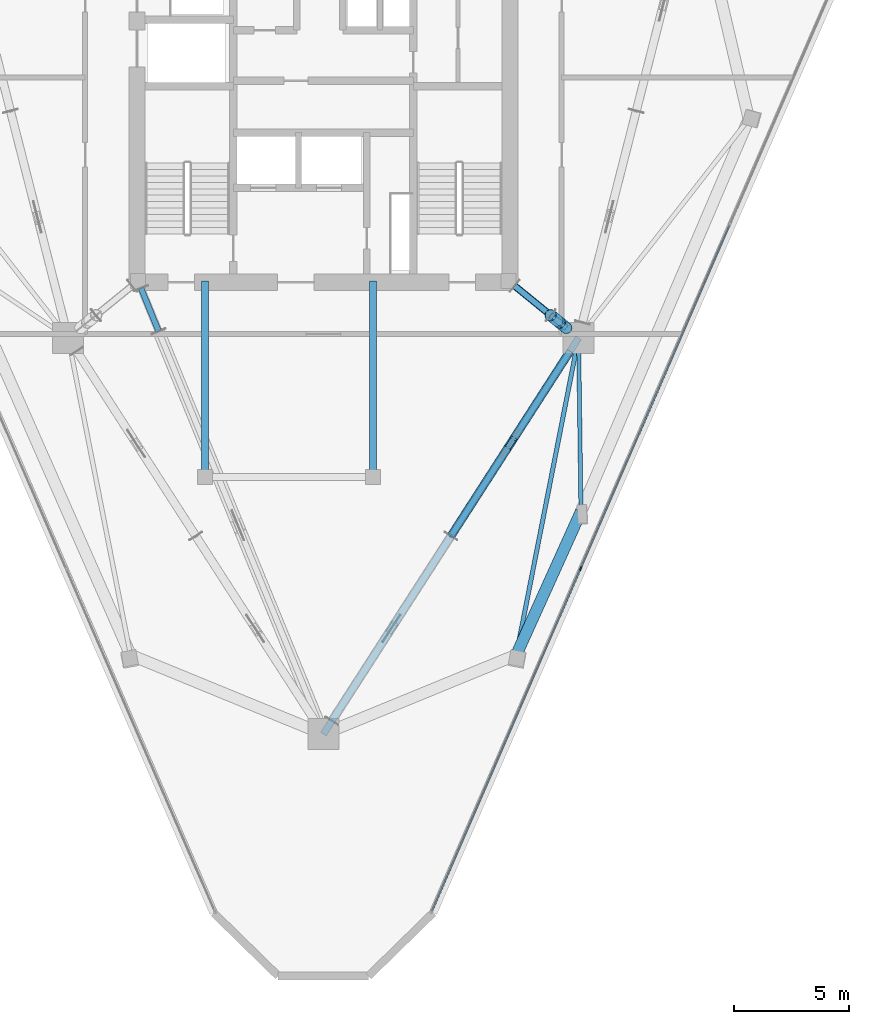
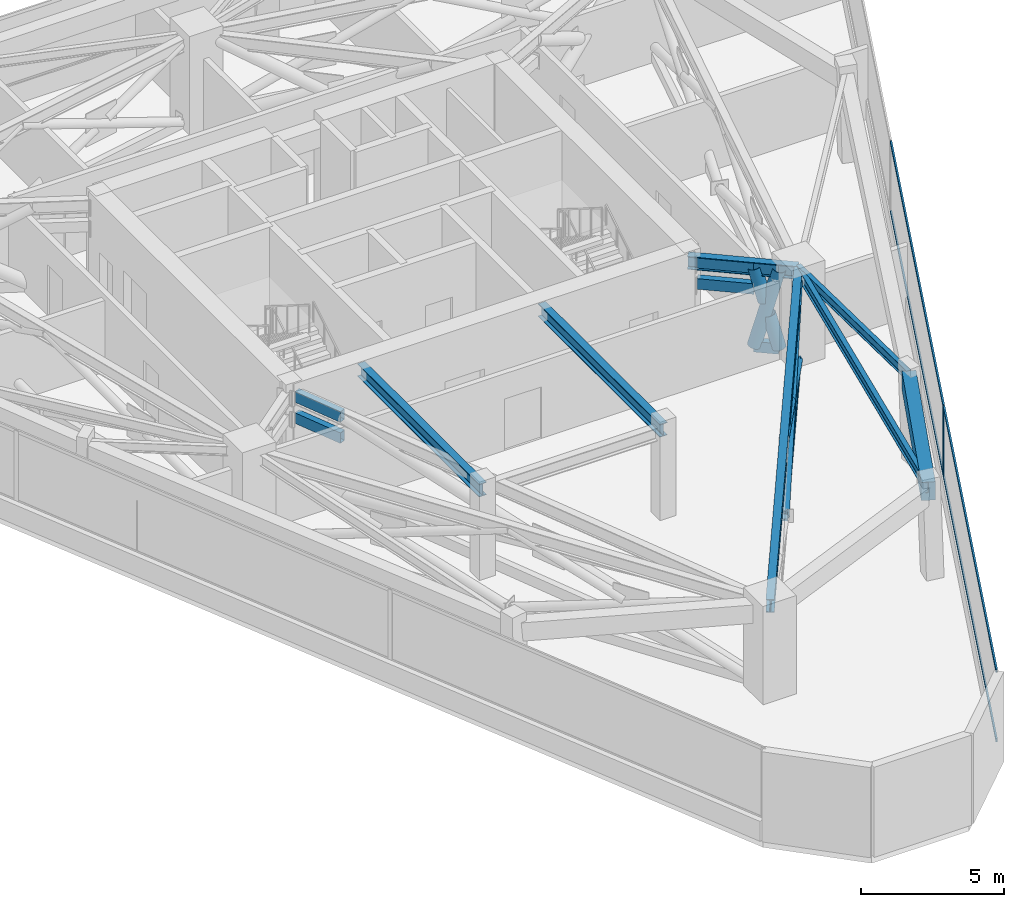
# One storey, part 3 of 12: 19 members, 7 beams, 1 element without a shape of its own.
"""IFC4 building model written with IfcOpenShell, lengths in metres."""

import ifcopenshell
import ifcopenshell.guid

model = None  # the IFC model being written
_history = None  # IfcOwnerHistory: only IFC2X3 demands one
_inside = {}  # id of a spatial element -> (the spatial element, [elements in it])
_under = {}  # id of a project, library or spatial element -> (it, [spatial elements below it])
_declared = {}  # id of a project -> (the project, [libraries it declares])
_typed = {}  # id of a type object -> (the type object, [elements of that type])
_made_of = {}  # id of a material, layer set ... -> (it, [elements and type objects made of it])


def new_model(schema):
    """Start an empty IFC model of exactly this schema.

    Asked for "IFC4X3", IfcOpenShell would pick the latest addendum, in which some entities
    have other attributes; the version numbers below select the first issue.
    IFC2X3 requires an IfcOwnerHistory on every rooted entity: one is made here for all.
    """
    global model, _history
    if schema == "IFC4X3":
        model = ifcopenshell.file(schema_version=(4, 3, 0, 0))
    else:
        model = ifcopenshell.file(schema=schema)
    _inside.clear()
    _under.clear()
    _declared.clear()
    _typed.clear()
    _made_of.clear()
    _history = None
    if model.schema == "IFC2X3":
        org = make("IfcOrganization", Name="unknown")
        user = make(
            "IfcPersonAndOrganization",
            ThePerson=make("IfcPerson", FamilyName="unknown"),
            TheOrganization=org,
        )
        app = make(
            "IfcApplication",
            ApplicationDeveloper=org,
            Version="unknown",
            ApplicationFullName="unknown",
            ApplicationIdentifier="unknown",
        )
        _history = make(
            "IfcOwnerHistory",
            OwningUser=user,
            OwningApplication=app,
            ChangeAction="ADDED",
            CreationDate=0,
        )
    return model


def make(cls, **values):
    """One entity of the class cls with the attributes given. An attribute that is None is left unset."""
    return model.create_entity(
        cls, **{name: value for name, value in values.items() if value is not None}
    )


def rooted(cls, **values):
    """An entity with a GlobalId (a new one), such as an element, a storey or a relation."""
    return make(cls, GlobalId=ifcopenshell.guid.new(), OwnerHistory=_history, **values)


def si_unit(unit_type, name, prefix=None):
    """IfcSIUnit, for example si_unit("LENGTHUNIT", "METRE", prefix="MILLI")."""
    return make("IfcSIUnit", UnitType=unit_type, Prefix=prefix, Name=name)


def assignment(units):
    """IfcUnitAssignment: the units of a project."""
    return None if units is None else make("IfcUnitAssignment", Units=units)


def point(xyz):
    """IfcCartesianPoint."""
    return None if xyz is None else make("IfcCartesianPoint", Coordinates=xyz)


def direction(xyz):
    """IfcDirection."""
    return None if xyz is None else make("IfcDirection", DirectionRatios=xyz)


def frame(location, z_axis=None, x_axis=None):
    """IfcAxis2Placement3D, a coordinate frame: its origin and axes. An axis left out is left unset."""
    return make(
        "IfcAxis2Placement3D",
        Location=point(location),
        Axis=direction(z_axis),
        RefDirection=direction(x_axis),
    )


def frame_2d(location, x_axis=None):
    """IfcAxis2Placement2D, a coordinate frame in the plane: its origin and x axis."""
    return make(
        "IfcAxis2Placement2D", Location=point(location), RefDirection=direction(x_axis)
    )


def origin():
    """The frame at (0, 0, 0) with its axes left unset."""
    return frame((0.0, 0.0, 0.0))


def origin_2d():
    """The frame at (0, 0) in the plane with its x axis left unset."""
    return frame_2d((0.0, 0.0))


def place(relative_to, where):
    """IfcLocalPlacement: puts the frame where relative to a parent placement (None: the world)."""
    return make(
        "IfcLocalPlacement", PlacementRelTo=relative_to, RelativePlacement=where
    )


def context(
    kind, dimensions, precision=None, world=None, true_north=None, identifier=None
):
    """IfcGeometricRepresentationContext, for example the 3D "Model" context."""
    return make(
        "IfcGeometricRepresentationContext",
        ContextIdentifier=identifier,
        ContextType=kind,
        CoordinateSpaceDimension=dimensions,
        Precision=precision,
        WorldCoordinateSystem=world,
        TrueNorth=true_north,
    )


def subcontext(parent, identifier, kind, view, scale=None):
    """IfcGeometricRepresentationSubContext, for example "Body" below "Model"."""
    return make(
        "IfcGeometricRepresentationSubContext",
        ContextIdentifier=identifier,
        ContextType=kind,
        ParentContext=parent,
        TargetScale=scale,
        TargetView=view,
    )


def project(units=None, contexts=None):
    """IfcProject with its units and contexts."""
    return rooted(
        "IfcProject",
        Name="project",
        RepresentationContexts=contexts,
        UnitsInContext=assignment(units),
    )


def spatial(cls, under=None, at=None, **own):
    """A site, building, storey or space (cls), placed at a placement, below another one or the project."""
    s = rooted(cls, ObjectPlacement=at, **own)
    if under is not None:
        _under.setdefault(under.id(), (under, []))[1].append(s)
    return s


def profile(cls, at=None, kind="AREA", **sizes):
    """A parametric profile (cls). Its sizes go by their IFC names, for example OverallWidth=200.0."""
    return make(cls, ProfileType=kind, Position=at, **sizes)


def rectangle(**sizes):
    """IfcRectangleProfileDef."""
    return profile("IfcRectangleProfileDef", **sizes)


def hollow_rectangle(**sizes):
    """IfcRectangleHollowProfileDef."""
    return profile("IfcRectangleHollowProfileDef", **sizes)


def hollow_circle(**sizes):
    """IfcCircleHollowProfileDef."""
    return profile("IfcCircleHollowProfileDef", **sizes)


def i_section(**sizes):
    """IfcIShapeProfileDef."""
    return profile("IfcIShapeProfileDef", **sizes)


def extrude(swept, where, along, depth):
    """IfcExtrudedAreaSolid: the profile swept, set in the frame where, extruded along a direction by depth."""
    return make(
        "IfcExtrudedAreaSolid",
        SweptArea=swept,
        Position=where,
        ExtrudedDirection=direction(along),
        Depth=depth,
    )


def shape(context_of_items, identifier, shape_type, items):
    """IfcShapeRepresentation: the items that make up one representation, for example the "Body"."""
    return make(
        "IfcShapeRepresentation",
        ContextOfItems=context_of_items,
        RepresentationIdentifier=identifier,
        RepresentationType=shape_type,
        Items=items,
    )


def material(Name=None, Category=None):
    """IfcMaterial."""
    return make("IfcMaterial", Name=Name, Category=Category)


def layer(
    of_material, thickness, ventilated=None, Name=None, Category=None, Priority=None
):
    """IfcMaterialLayer: one layer of a wall or slab, of a material (None: an air gap)."""
    return make(
        "IfcMaterialLayer",
        Material=of_material,
        LayerThickness=thickness,
        IsVentilated=ventilated,
        Name=Name,
        Category=Category,
        Priority=Priority,
    )


def layer_set(layers, Name=None):
    """IfcMaterialLayerSet."""
    return make("IfcMaterialLayerSet", MaterialLayers=layers, LayerSetName=Name)


def material_profile(
    of_material, cross_section, Name=None, Category=None, Priority=None
):
    """IfcMaterialProfile: a cross section and its material."""
    return make(
        "IfcMaterialProfile",
        Name=Name,
        Material=of_material,
        Profile=cross_section,
        Priority=Priority,
        Category=Category,
    )


def profile_set(profiles, Name=None, composite=None):
    """IfcMaterialProfileSet."""
    return make(
        "IfcMaterialProfileSet",
        Name=Name,
        MaterialProfiles=profiles,
        CompositeProfile=composite,
    )


def made_of(thing, what):
    """Note that an element or type object is made of a material, layer set ...; save() writes the relation."""
    if what is not None:
        _made_of.setdefault(what.id(), (what, []))[1].append(thing)
    return thing


def type_object(cls, material=None, **own):
    """A type object (cls), such as IfcWallType, which elements share."""
    return made_of(rooted(cls, **own), material)


def element(
    cls,
    number,
    at=None,
    inside=None,
    cuts=None,
    type_object=None,
    material=None,
    context=None,
    identifier="Body",
    shape_type=None,
    held_by="IfcProductDefinitionShape",
    body=None,
    shapes=None,
    **own,
):
    """One element of the class cls, such as IfcWall. Its Tag is "e" and its number.

    at: its placement. inside: the storey or other place that contains it. cuts: it is an
    opening in that element (IfcRelVoidsElement). A single representation is given by context,
    identifier, shape_type and body (its items); several are given by shapes. held_by: the class
    of the entity that holds the representations. save() writes the other relations.
    """
    e = rooted(cls, Tag="e%d" % number, ObjectPlacement=at, **own)
    if body is not None:
        shapes = [shape(context, identifier, shape_type, body)]
    if shapes is not None:
        e.Representation = make(held_by, Representations=shapes)
    if inside is not None:
        _inside.setdefault(inside.id(), (inside, []))[1].append(e)
    if cuts is not None:
        rooted(
            "IfcRelVoidsElement", RelatingBuildingElement=cuts, RelatedOpeningElement=e
        )
    if type_object is not None:
        _typed.setdefault(type_object.id(), (type_object, []))[1].append(e)
    return made_of(e, material)


def aggregate(whole, parts):
    """IfcRelAggregates: a whole, such as a stair, and the parts it consists of."""
    return rooted("IfcRelAggregates", RelatingObject=whole, RelatedObjects=parts)


def save(model, path):
    """Write the relations noted so far, then the file.

    IfcRelAggregates (storeys below a building ...), IfcRelContainedInSpatialStructure (elements
    in a storey), IfcRelDefinesByType, IfcRelAssociatesMaterial and IfcRelDeclares: one each for
    every whole, place, type object, material and project.
    """
    for whole, parts in _under.values():
        aggregate(whole, parts)
    for where, things in _inside.values():
        rooted(
            "IfcRelContainedInSpatialStructure",
            RelatedElements=things,
            RelatingStructure=where,
        )
    for kind, things in _typed.values():
        rooted("IfcRelDefinesByType", RelatedObjects=things, RelatingType=kind)
    for what, things in _made_of.values():
        rooted("IfcRelAssociatesMaterial", RelatedObjects=things, RelatingMaterial=what)
    for by, libraries in _declared.values():
        rooted("IfcRelDeclares", RelatingContext=by, RelatedDefinitions=libraries)
    model.write(path)


model = new_model("IFC4")

# Units and contexts
model_context = context("Model", 3, precision=1e-05, world=origin(), true_north=direction((0.0, 1.0)))
body_context = subcontext(model_context, "Body", "Model", "MODEL_VIEW")
ifc_project = project(units=[si_unit("LENGTHUNIT", "METRE"), si_unit("AREAUNIT", "SQUARE_METRE"), si_unit("VOLUMEUNIT", "CUBIC_METRE"), si_unit("PLANEANGLEUNIT", "RADIAN"), si_unit("MASSUNIT", "GRAM", prefix="KILO")], contexts=[model_context])

# Site, building, storey
site_placement = place(None, origin())
site = spatial("IfcSite", under=ifc_project, at=site_placement, CompositionType="ELEMENT")
building_placement = place(site_placement, origin())
building = spatial("IfcBuilding", under=site, at=building_placement, Name="Talyreon Biosciences Tower", CompositionType="ELEMENT")
storey_placement = place(building_placement, frame((0.0, 0.0, 223.199951171875)))
storey = spatial("IfcBuildingStorey", under=building, at=storey_placement, Name="L59", CompositionType="ELEMENT", Elevation=223.199951171875)

# Members
ifc_material_1 = material(Name="Steel SM355", Category="steel")
ifc_material_profile_1 = material_profile(ifc_material_1, hollow_circle(Radius=0.177734375, WallThickness=0.01416015625, at=origin_2d()), Name="CHS 355.6x14.2")
ifc_profile_set_1 = profile_set([ifc_material_profile_1], Name="Steel SM355")
member_type_1 = type_object("IfcMemberType", Name="BeltBrace_CHS355", PredefinedType="BRACE", material=ifc_profile_set_1)
member_1_placement = place(storey_placement, frame((71.543212890625, 50.273681640625, 0.239990234375), z_axis=(0.510780129739, 0.793089525024, 0.331832283483), x_axis=(-0.840726430295, 0.541460127251, 0.0)))
element("IfcMember", 1, at=member_1_placement, inside=storey, type_object=member_type_1, Name="L59 Continuous Diagonal BELT-L59-B1S2A", PredefinedType="BRACE", context=body_context, shape_type="SweptSolid", body=[
    extrude(hollow_circle(Radius=0.177734375, WallThickness=0.01416015625, at=origin_2d()), origin(), (0.0, 0.0, 1.0), 10.1259765625),
])
member_2_placement = place(storey_placement, frame((76.71533203125, 58.304443359375, 0.239990234375), z_axis=(-0.51079967438, -0.793074302073, 0.331838581308), x_axis=(0.840712267338, -0.541482117478, 0.0)))
element("IfcMember", 2, at=member_2_placement, inside=storey, type_object=member_type_1, Name="L59 Split Diagonal BELT-L59-B1S2B-Lower", PredefinedType="BRACE", context=body_context, shape_type="SweptSolid", body=[
    extrude(hollow_circle(Radius=0.177734375, WallThickness=0.01416015625, at=origin_2d()), origin(), (0.0, 0.0, 1.0), 4.782958984375),
])
member_3_placement = place(storey_placement, frame((73.986083984375, 54.06689453125, 2.012939453125), z_axis=(-0.510761946942, -0.793094979976, 0.331847233367), x_axis=(0.840736899873, -0.541443870768, 0.0)))
element("IfcMember", 3, at=member_3_placement, inside=storey, type_object=member_type_1, Name="L59 Split Diagonal BELT-L59-B1S2B-Upper", PredefinedType="BRACE", context=body_context, shape_type="SweptSolid", body=[
    extrude(hollow_circle(Radius=0.177734375, WallThickness=0.01416015625, at=origin_2d()), origin(), (0.0, 0.0, 1.0), 4.78271484375),
])
ifc_material_profile_2 = material_profile(ifc_material_1, hollow_rectangle(XDim=0.25, YDim=0.39990234375, WallThickness=0.01611328125, at=origin_2d()), Name="RHS 400x250x16")
ifc_profile_set_2 = profile_set([ifc_material_profile_2], Name="Steel SM355")
member_type_2 = type_object("IfcMemberType", Name="BeltChord_RHS400x250", PredefinedType="CHORD", material=ifc_profile_set_2)
for number, where, z_axis, x_axis, name in (
    (4, (71.543212890625, 50.273681640625, 0.239990234375), (0.541460127251, 0.840726430295, 0.0), (-0.840726430295, 0.541460127251, 0.0), "L59 Truss Bottom Chord BELT-L59-B1S2"),
    (5, (71.543212890625, 50.273681640625, 3.60009765625), (0.541460127251, 0.840726430295, 0.0), (-0.840726430295, 0.541460127251, 0.0), "L59 Truss Top Chord BELT-L59-B1S2"),
):
    element("IfcMember", number, at=place(storey_placement, frame(where, z_axis=z_axis, x_axis=x_axis)), inside=storey, type_object=member_type_2, Name=name, PredefinedType="CHORD", context=body_context, shape_type="SweptSolid", body=[
        extrude(hollow_rectangle(XDim=0.25, YDim=0.39990234375, WallThickness=0.01611328125, at=origin_2d()), origin(), (0.0, 0.0, 1.0), 9.55224609375),
    ])

# Curtain wall, members
ifc_material_2 = material(Name="Thermally broken aluminium and low-E glazing", Category="aluminium")
ifc_layer = layer(ifc_material_2, 0.179931640625)
ifc_layer_set = layer_set([ifc_layer], Name="Thermally broken aluminium and low-E glazing")
curtain_wall_type = type_object("IfcCurtainWallType", Name="CurtainWall_Zone4Optical", PredefinedType="NOTDEFINED", material=ifc_layer_set)
curtain_wall_placement = place(storey_placement, origin())
curtain_wall = element("IfcCurtainWall", 6, at=curtain_wall_placement, inside=storey, type_object=curtain_wall_type, Name="L59 Unitised Curtain Wall FCW-L59-08", PredefinedType="NOTDEFINED")
ifc_material_3 = material(Name="Anodised thermally broken aluminium", Category="aluminium")
ifc_material_profile_3 = material_profile(ifc_material_3, rectangle(XDim=0.06494140625, YDim=0.179931640625, at=origin_2d()), Name="ALUM MULLION 65x180")
ifc_profile_set_3 = profile_set([ifc_material_profile_3], Name="Anodised thermally broken aluminium")
member_type_3 = type_object("IfcMemberType", Name="CWMullion_65x180", PredefinedType="MULLION", material=ifc_profile_set_3)
member_4_placement = place(storey_placement, frame((77.175048828125, 48.85888671875, 0.81005859375), z_axis=(0.0, 0.0, 1.0), x_axis=(0.917336640876, -0.398112405366, 0.0)))
member_4 = element("IfcMember", 7, at=member_4_placement, type_object=member_type_3, Name="CW5 mullion 3", PredefinedType="MULLION", context=body_context, shape_type="SweptSolid", body=[
    extrude(rectangle(XDim=0.06494140625, YDim=0.179931640625, at=origin_2d()), origin(), (0.0, 0.0, 1.0), 3.0400390625),
])
ifc_material_profile_4 = material_profile(ifc_material_3, rectangle(XDim=0.06494140625, YDim=0.139892578125, at=origin_2d()), Name="ALUM TRANSOM 65x140")
ifc_profile_set_4 = profile_set([ifc_material_profile_4], Name="Anodised thermally broken aluminium")
member_type_4 = type_object("IfcMemberType", Name="CWTransom_65x140", PredefinedType="USERDEFINED", material=ifc_profile_set_4)
member_5_placement = place(storey_placement, frame((83.640380859375, 63.756103515625, 0.842529296875), z_axis=(-0.398118470733, -0.91733400856, 0.0), x_axis=(0.91733400856, -0.398118470733, 0.0)))
member_5 = element("IfcMember", 8, at=member_5_placement, type_object=member_type_4, Name="CW5 transom 2.1", ObjectType="TRANSOM", PredefinedType="USERDEFINED", context=body_context, shape_type="SweptSolid", body=[
    extrude(rectangle(XDim=0.06494140625, YDim=0.139892578125, at=origin_2d()), origin(), (0.0, 0.0, 1.0), 16.207275390625),
])
member_6_placement = place(storey_placement, frame((83.640380859375, 63.756103515625, 3.817626953125), z_axis=(-0.398118470733, -0.91733400856, 0.0), x_axis=(0.91733400856, -0.398118470733, 0.0)))
member_6 = element("IfcMember", 9, at=member_6_placement, type_object=member_type_4, Name="CW5 transom 2.2", ObjectType="TRANSOM", PredefinedType="USERDEFINED", context=body_context, shape_type="SweptSolid", body=[
    extrude(rectangle(XDim=0.06494140625, YDim=0.139892578125, at=origin_2d()), origin(), (0.0, 0.0, 1.0), 16.207275390625),
])
member_7_placement = place(storey_placement, frame((77.162109375, 48.828857421875, 0.842529296875), z_axis=(-0.398117802668, -0.917334298497, 0.0), x_axis=(0.917334298497, -0.398117802668, 0.0)))
member_7 = element("IfcMember", 10, at=member_7_placement, type_object=member_type_4, Name="CW5 transom 3.1", ObjectType="TRANSOM", PredefinedType="USERDEFINED", context=body_context, shape_type="SweptSolid", body=[
    extrude(rectangle(XDim=0.06494140625, YDim=0.139892578125, at=origin_2d()), origin(), (0.0, 0.0, 1.0), 16.1748046875),
])
member_8_placement = place(storey_placement, frame((77.162109375, 48.828857421875, 3.817626953125), z_axis=(-0.398117802668, -0.917334298497, 0.0), x_axis=(0.917334298497, -0.398117802668, 0.0)))
member_8 = element("IfcMember", 11, at=member_8_placement, type_object=member_type_4, Name="CW5 transom 3.2", ObjectType="TRANSOM", PredefinedType="USERDEFINED", context=body_context, shape_type="SweptSolid", body=[
    extrude(rectangle(XDim=0.06494140625, YDim=0.139892578125, at=origin_2d()), origin(), (0.0, 0.0, 1.0), 16.1748046875),
])
aggregate(curtain_wall, [member_4, member_5, member_6, member_7, member_8])

# Beam
ifc_material_4 = material(Name="Precast concrete C45/55", Category="concrete")
ifc_material_profile_5 = material_profile(ifc_material_4, rectangle(XDim=0.5, YDim=0.780029296875, at=origin_2d()), Name="RCB 500x780")
ifc_profile_set_5 = profile_set([ifc_material_profile_5], Name="Precast concrete C45/55")
beam_type_1 = type_object("IfcBeamType", Name="ExpressedSpandrel_500x780", PredefinedType="SPANDREL", material=ifc_profile_set_5)
beam_1_placement = place(storey_placement, frame((74.379638671875, 45.105224609375, 3.4599609375), z_axis=(0.411487187335, 0.911415544447, 0.0), x_axis=(-0.911415544447, 0.411487187335, 0.0)))
element("IfcBeam", 12, at=beam_1_placement, inside=storey, type_object=beam_type_1, Name="L59 Expressed Horizontal Concrete Spandrel 02", PredefinedType="SPANDREL", context=body_context, shape_type="SweptSolid", body=[
    extrude(rectangle(XDim=0.5, YDim=0.780029296875, at=origin_2d()), origin(), (0.0, 0.0, 1.0), 6.8349609375),
])

# Members
ifc_material_profile_6 = material_profile(ifc_material_1, hollow_circle(Radius=0.25390625, WallThickness=0.02001953125, at=origin_2d()), Name="CHS 508x20")
ifc_profile_set_6 = profile_set([ifc_material_profile_6], Name="Steel SM355")
member_type_5 = type_object("IfcMemberType", Name="OutriggerBrace_CHS508", PredefinedType="BRACE", material=ifc_profile_set_6)
member_9_placement = place(storey_placement, frame((75.873046875, 59.8671875, 0.239990234375), z_axis=(0.196261172766, -0.159708232279, 0.967457922913), x_axis=(0.631178128643, 0.775637911607, 0.0)))
element("IfcMember", 13, at=member_9_placement, inside=storey, type_object=member_type_5, Name="L59 Continuous Diagonal OUT-L59-R2A", PredefinedType="BRACE", context=body_context, shape_type="SweptSolid", body=[
    extrude(hollow_circle(Radius=0.25390625, WallThickness=0.02001953125, at=origin_2d()), origin(), (0.0, 0.0, 1.0), 3.47314453125),
])
for number, where, z_axis, x_axis, name in (
    (14, (76.5546875, 59.3125, 0.239990234375), (-0.196272633117, 0.159733406798, 0.967451441801), (-0.631215806219, -0.775607249824, 0.0), "L59 Split Diagonal OUT-L59-R2B-Lower"),
    (15, (76.158935546875, 59.634521484375, 2.19091796875), (-0.196272633117, 0.159733406798, 0.967451441801), (-0.631215806219, -0.775607249824, 0.0), "L59 Split Diagonal OUT-L59-R2B-Upper"),
):
    element("IfcMember", number, at=place(storey_placement, frame(where, z_axis=z_axis, x_axis=x_axis)), inside=storey, type_object=member_type_5, Name=name, PredefinedType="BRACE", context=body_context, shape_type="SweptSolid", body=[
        extrude(hollow_circle(Radius=0.25390625, WallThickness=0.02001953125, at=origin_2d()), origin(), (0.0, 0.0, 1.0), 1.45654296875),
    ])
ifc_material_profile_7 = material_profile(ifc_material_1, hollow_rectangle(XDim=0.25, YDim=0.449951171875, WallThickness=0.01611328125, at=origin_2d()), Name="RHS 450x250x16")
ifc_profile_set_7 = profile_set([ifc_material_profile_7], Name="Steel SM355")
member_type_6 = type_object("IfcMemberType", Name="OutriggerChord_RHS450x250", PredefinedType="CHORD", material=ifc_profile_set_7)
for number, where, z_axis, x_axis, name in (
    (16, (58.076904296875, 61.039794921875, 3.60009765625), (0.378524329351, -0.92559134184, 0.0), (0.92559134184, 0.378524329351, 0.0), "L59 Outrigger Core Top Tie 1"),
    (17, (58.076904296875, 61.039794921875, 2.699951171875), (0.378524329351, -0.92559134184, 0.0), (0.92559134184, 0.378524329351, 0.0), "L59 Outrigger Core Plenum Tie 1"),
):
    element("IfcMember", number, at=place(storey_placement, frame(where, z_axis=z_axis, x_axis=x_axis)), inside=storey, type_object=member_type_6, Name=name, PredefinedType="CHORD", context=body_context, shape_type="SweptSolid", body=[
        extrude(hollow_rectangle(XDim=0.25, YDim=0.449951171875, WallThickness=0.01611328125, at=origin_2d()), origin(), (0.0, 0.0, 1.0), 2.014892578125),
    ])
for number, where, z_axis, x_axis, name in (
    (18, (74.309814453125, 61.138671875, 3.60009765625), (0.77578405512, -0.63099849431, 0.0), (0.63099849431, 0.77578405512, 0.0), "L59 Outrigger Core Top Tie 2"),
    (19, (74.309814453125, 61.138671875, 2.699951171875), (0.77578405512, -0.63099849431, 0.0), (0.63099849431, 0.77578405512, 0.0), "L59 Outrigger Core Plenum Tie 2"),
):
    element("IfcMember", number, at=place(storey_placement, frame(where, z_axis=z_axis, x_axis=x_axis)), inside=storey, type_object=member_type_6, Name=name, PredefinedType="CHORD", context=body_context, shape_type="SweptSolid", body=[
        extrude(hollow_rectangle(XDim=0.25, YDim=0.449951171875, WallThickness=0.01611328125, at=origin_2d()), origin(), (0.0, 0.0, 1.0), 2.01513671875),
    ])
for number, where, z_axis, x_axis, name in (
    (20, (75.873046875, 59.8671875, 0.239990234375), (0.775637911607, -0.631178128643, 0.0), (0.631178128643, 0.775637911607, 0.0), "L59 Truss Bottom Chord OUT-L59-R2"),
    (21, (75.873046875, 59.8671875, 3.60009765625), (0.775637911607, -0.631178128643, 0.0), (0.631178128643, 0.775637911607, 0.0), "L59 Truss Top Chord OUT-L59-R2"),
):
    element("IfcMember", number, at=place(storey_placement, frame(where, z_axis=z_axis, x_axis=x_axis)), inside=storey, type_object=member_type_6, Name=name, PredefinedType="CHORD", context=body_context, shape_type="SweptSolid", body=[
        extrude(hollow_rectangle(XDim=0.25, YDim=0.449951171875, WallThickness=0.01611328125, at=origin_2d()), origin(), (0.0, 0.0, 1.0), 0.87890625),
    ])

# Beams
ifc_material_profile_8 = material_profile(ifc_material_1, i_section(OverallWidth=0.300048828125, OverallDepth=0.550048828125, WebThickness=0.014892578125, FlangeThickness=0.029052734375, FilletRadius=0.027099609375, at=origin_2d()), Name="HE550B")
ifc_profile_set_8 = profile_set([ifc_material_profile_8], Name="Steel SM355")
beam_type_2 = type_object("IfcBeamType", Name="SteelBeam_HE550B", PredefinedType="BEAM", material=ifc_profile_set_8)
beam_2_placement = place(storey_placement, frame((66.0, 41.6669921875, 3.574951171875), z_axis=(0.541463723609, 0.840724114092, 0.0), x_axis=(-0.840724114092, 0.541463723609, 0.0)))
element("IfcBeam", 22, at=beam_2_placement, inside=storey, type_object=beam_type_2, Name="L59 Mega-Ring Girder 1", PredefinedType="BEAM", context=body_context, shape_type="SweptSolid", body=[
    extrude(i_section(OverallWidth=0.300048828125, OverallDepth=0.550048828125, WebThickness=0.014892578125, FlangeThickness=0.029052734375, FilletRadius=0.027099609375, at=origin_2d()), origin(), (0.0, 0.0, 1.0), 20.474365234375),
])
beam_3_placement = place(storey_placement, frame((74.050048828125, 61.35009765625, 3.574951171875), z_axis=(0.775755154013, -0.631034025249, 0.0), x_axis=(0.631034025249, 0.775755154013, 0.0)))
element("IfcBeam", 23, at=beam_3_placement, inside=storey, type_object=beam_type_2, Name="L59 Radial Primary Girder 2", PredefinedType="BEAM", context=body_context, shape_type="SweptSolid", body=[
    extrude(i_section(OverallWidth=0.300048828125, OverallDepth=0.550048828125, WebThickness=0.014892578125, FlangeThickness=0.029052734375, FilletRadius=0.027099609375, at=origin_2d()), origin(), (0.0, 0.0, 1.0), 3.913818359375),
])
for number, where, z_axis, x_axis, name in (
    (24, (60.85009765625, 52.840087890625, 3.574951171875), (0.0, 1.0, 0.0), (-1.0, 0.0, 0.0), "L59 Crown Shaft Tie Girder W"),
    (25, (68.14990234375, 52.840087890625, 3.574951171875), (0.0, 1.0, 0.0), (-1.0, 0.0, 0.0), "L59 Crown Shaft Tie Girder E"),
):
    element("IfcBeam", number, at=place(storey_placement, frame(where, z_axis=z_axis, x_axis=x_axis)), inside=storey, type_object=beam_type_2, Name=name, PredefinedType="BEAM", context=body_context, shape_type="SweptSolid", body=[
        extrude(i_section(OverallWidth=0.300048828125, OverallDepth=0.550048828125, WebThickness=0.014892578125, FlangeThickness=0.029052734375, FilletRadius=0.027099609375, at=origin_2d()), origin(), (0.0, 0.0, 1.0), 8.510009765625),
    ])
ifc_material_profile_9 = material_profile(ifc_material_1, i_section(OverallWidth=0.179931640625, OverallDepth=0.39990234375, WebThickness=0.008544921875, FlangeThickness=0.013427734375, FilletRadius=0.02099609375, at=origin_2d()), Name="IPE400")
ifc_profile_set_9 = profile_set([ifc_material_profile_9], Name="Steel SM355")
beam_type_3 = type_object("IfcBeamType", Name="SteelJoist_IPE400", PredefinedType="JOIST", material=ifc_profile_set_9)
beam_4_placement = place(storey_placement, frame((77.086181640625, 58.88037109375, 3.650146484375), z_axis=(0.014040742161, -0.999901423921, 0.0), x_axis=(0.999901423921, 0.014040742161, 0.0)))
element("IfcBeam", 26, at=beam_4_placement, inside=storey, type_object=beam_type_3, Name="L59 Radial Composite Floor Joist PL-SE", PredefinedType="JOIST", context=body_context, shape_type="SweptSolid", body=[
    extrude(i_section(OverallWidth=0.179931640625, OverallDepth=0.39990234375, WebThickness=0.008544921875, FlangeThickness=0.013427734375, FilletRadius=0.02099609375, at=origin_2d()), origin(), (0.0, 0.0, 1.0), 7.54638671875),
])
ifc_material_profile_10 = material_profile(ifc_material_1, i_section(OverallWidth=0.18994140625, OverallDepth=0.449951171875, WebThickness=0.009521484375, FlangeThickness=0.0146484375, FilletRadius=0.02099609375, at=origin_2d()), Name="IPE450")
ifc_profile_set_10 = profile_set([ifc_material_profile_10], Name="Steel SM355")
beam_type_4 = type_object("IfcBeamType", Name="SteelJoist_IPE450", PredefinedType="JOIST", material=ifc_profile_set_10)
beam_5_placement = place(storey_placement, frame((77.086181640625, 58.88037109375, 3.625), z_axis=(-0.192794042793, -0.981239245579, 0.0), x_axis=(0.981239245579, -0.192794042793, 0.0)))
element("IfcBeam", 27, at=beam_5_placement, inside=storey, type_object=beam_type_4, Name="L59 Radial Composite Floor Joist PC-SE1", PredefinedType="JOIST", context=body_context, shape_type="SweptSolid", body=[
    extrude(i_section(OverallWidth=0.18994140625, OverallDepth=0.449951171875, WebThickness=0.009521484375, FlangeThickness=0.0146484375, FilletRadius=0.02099609375, at=origin_2d()), origin(), (0.0, 0.0, 1.0), 14.03857421875),
])

save(model, "model.ifc")
